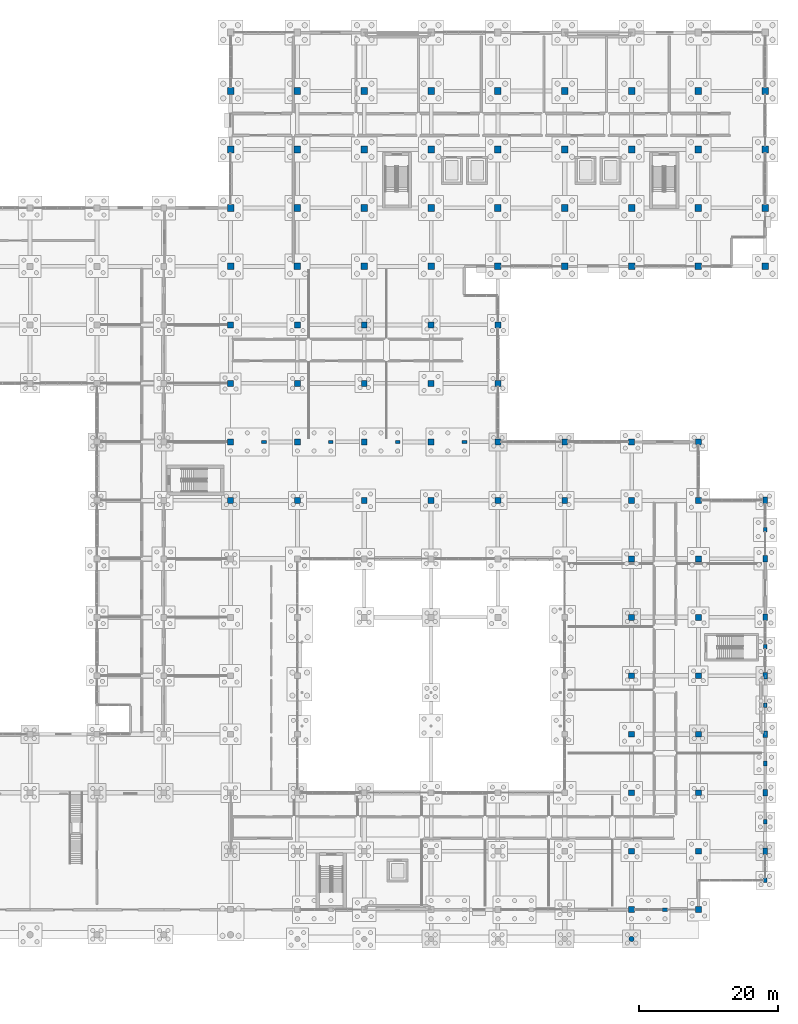
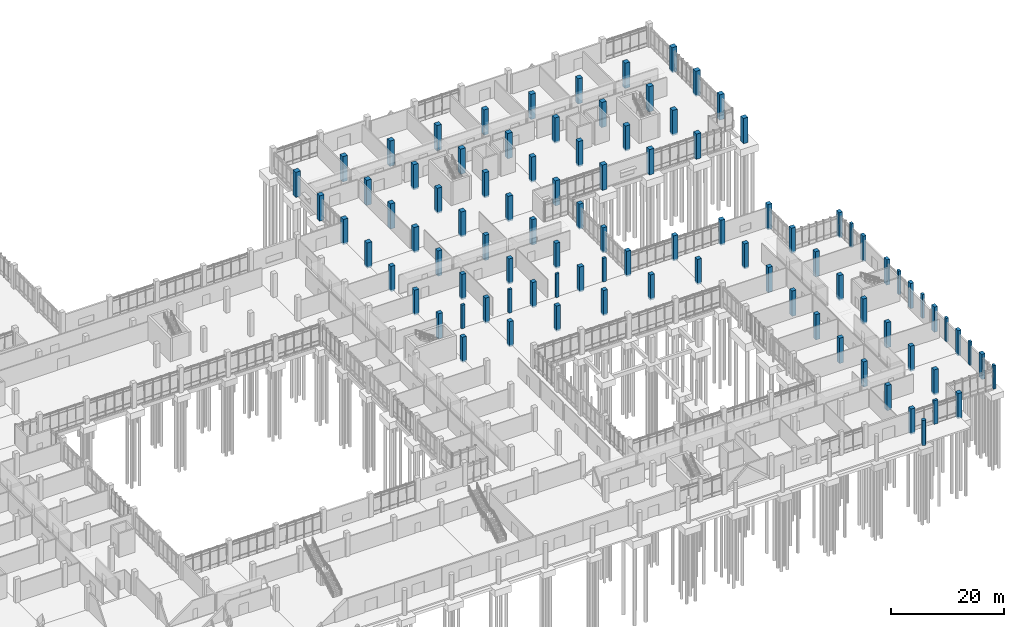
# One storey, part 25 of 136: 95 columns.
"""IFC4 building model written with IfcOpenShell, lengths in metres."""

from ifc_helpers import new_model, si_unit, direction, frame, origin, origin_2d, place, context, subcontext, project, spatial, rectangle, circle, extrude, material, material_profile, profile_set, type_object, element, save


model = new_model("IFC4")

# Units and contexts
model_context = context("Model", 3, precision=1e-05, world=origin(), true_north=direction((0.0, 1.0)))
body_context = subcontext(model_context, "Body", "Model", "MODEL_VIEW")
ifc_project = project(units=[si_unit("LENGTHUNIT", "METRE"), si_unit("AREAUNIT", "SQUARE_METRE"), si_unit("VOLUMEUNIT", "CUBIC_METRE"), si_unit("PLANEANGLEUNIT", "RADIAN"), si_unit("MASSUNIT", "GRAM", prefix="KILO")], contexts=[model_context])

# Site, building, storey
site_placement = place(None, origin())
site = spatial("IfcSite", under=ifc_project, at=site_placement, CompositionType="ELEMENT")
building_placement = place(site_placement, origin())
building = spatial("IfcBuilding", under=site, at=building_placement, Name="Oolite Switchyard Hospital", CompositionType="ELEMENT")
storey_placement = place(building_placement, origin())
storey = spatial("IfcBuildingStorey", under=building, at=storey_placement, Name="L00", CompositionType="ELEMENT", Elevation=0.0)

# Columns
ifc_material_1 = material(Name="Precast concrete C40/50", Category="concrete")
ifc_material_profile_1 = material_profile(ifc_material_1, circle(Radius=0.375, at=origin_2d()), Name="RCCOL750")
ifc_profile_set_1 = profile_set([ifc_material_profile_1], Name="Precast concrete C40/50")
column_type_1 = type_object("IfcColumnType", Name="COL-PORT750", PredefinedType="COLUMN", material=ifc_profile_set_1)
column_1_placement = place(storey_placement, frame((192.0, 4.199951171875, -0.35009765625), z_axis=(0.0, 0.0, 1.0), x_axis=(1.0, 0.0, 0.0)))
element("IfcColumn", 1, at=column_1_placement, inside=storey, type_object=column_type_1, Name="L00 Column 289", PredefinedType="COLUMN", context=body_context, shape_type="SweptSolid", body=[
    extrude(circle(Radius=0.375, at=origin_2d()), origin(), (0.0, 0.0, 1.0), 5.4501953125),
])
ifc_material_2 = material(Name="Concrete C50/60", Category="concrete")
ifc_material_profile_2 = material_profile(ifc_material_2, rectangle(XDim=0.85009765625, YDim=0.85009765625, at=origin_2d()), Name="RC850X850")
ifc_profile_set_2 = profile_set([ifc_material_profile_2], Name="Concrete C50/60")
column_type_2 = type_object("IfcColumnType", Name="COL-RC850", PredefinedType="COLUMN", material=ifc_profile_set_2)
for number, where, z_axis, x_axis, name in (
    (2, (134.39990234375, 67.199951171875, -0.35009765625), (0.0, 0.0, 1.0), (1.0, 0.0, 0.0), "L00 Column 193"),
    (3, (134.39990234375, 75.60009765625, -0.35009765625), (0.0, 0.0, 1.0), (1.0, 0.0, 0.0), "L00 Column 194"),
    (4, (134.39990234375, 84.0, -0.35009765625), (0.0, 0.0, 1.0), (1.0, 0.0, 0.0), "L00 Column 195"),
    (5, (134.39990234375, 92.39990234375, -0.35009765625), (0.0, 0.0, 1.0), (1.0, 0.0, 0.0), "L00 Column 196"),
    (6, (144.0, 67.199951171875, -0.35009765625), (0.0, 0.0, 1.0), (1.0, 0.0, 0.0), "L00 Column 210"),
    (7, (144.0, 75.60009765625, -0.35009765625), (0.0, 0.0, 1.0), (1.0, 0.0, 0.0), "L00 Column 211"),
    (8, (144.0, 84.0, -0.35009765625), (0.0, 0.0, 1.0), (1.0, 0.0, 0.0), "L00 Column 212"),
    (9, (144.0, 92.39990234375, -0.35009765625), (0.0, 0.0, 1.0), (1.0, 0.0, 0.0), "L00 Column 213"),
    (10, (153.60009765625, 67.199951171875, -0.35009765625), (0.0, 0.0, 1.0), (1.0, 0.0, 0.0), "L00 Column 229"),
    (11, (153.60009765625, 75.60009765625, -0.35009765625), (0.0, 0.0, 1.0), (1.0, 0.0, 0.0), "L00 Column 230"),
    (12, (153.60009765625, 84.0, -0.35009765625), (0.0, 0.0, 1.0), (1.0, 0.0, 0.0), "L00 Column 231"),
    (13, (153.60009765625, 92.39990234375, -0.35009765625), (0.0, 0.0, 1.0), (1.0, 0.0, 0.0), "L00 Column 232"),
    (14, (163.199951171875, 67.199951171875, -0.35009765625), (0.0, 0.0, 1.0), (1.0, 0.0, 0.0), "L00 Column 246"),
    (15, (163.199951171875, 75.60009765625, -0.35009765625), (0.0, 0.0, 1.0), (1.0, 0.0, 0.0), "L00 Column 247"),
    (16, (163.199951171875, 84.0, -0.35009765625), (0.0, 0.0, 1.0), (1.0, 0.0, 0.0), "L00 Column 248"),
    (17, (163.199951171875, 92.39990234375, -0.35009765625), (0.0, 0.0, 1.0), (1.0, 0.0, 0.0), "L00 Column 249"),
    (18, (172.800048828125, 67.199951171875, -0.35009765625), (0.0, 0.0, 1.0), (1.0, 0.0, 0.0), "L00 Column 261"),
    (19, (172.800048828125, 75.60009765625, -0.35009765625), (0.0, 0.0, 1.0), (1.0, 0.0, 0.0), "L00 Column 262"),
    (20, (172.800048828125, 84.0, -0.35009765625), (0.0, 0.0, 1.0), (1.0, 0.0, 0.0), "L00 Column 263"),
    (21, (172.800048828125, 92.39990234375, -0.35009765625), (0.0, 0.0, 1.0), (1.0, 0.0, 0.0), "L00 Column 264"),
    (22, (182.39990234375, 67.199951171875, -0.35009765625), (0.0, 0.0, 1.0), (1.0, 0.0, 0.0), "L00 Column 282"),
    (23, (182.39990234375, 75.60009765625, -0.35009765625), (0.0, 0.0, 1.0), (1.0, 0.0, 0.0), "L00 Column 283"),
    (24, (192.0, 8.39990234375, -0.35009765625), (0.0, 0.0, 1.0), (1.0, 0.0, 0.0), "L00 Column 290"),
    (25, (192.0, 16.800048828125, -0.35009765625), (0.0, 0.0, 1.0), (1.0, 0.0, 0.0), "L00 Column 291"),
    (26, (192.0, 25.199951171875, -0.35009765625), (0.0, 0.0, 1.0), (1.0, 0.0, 0.0), "L00 Column 292"),
    (27, (192.0, 33.60009765625, -0.35009765625), (0.0, 0.0, 1.0), (1.0, 0.0, 0.0), "L00 Column 293"),
    (28, (192.0, 42.0, -0.35009765625), (0.0, 0.0, 1.0), (1.0, 0.0, 0.0), "L00 Column 294"),
    (29, (192.0, 50.39990234375, -0.35009765625), (0.0, 0.0, 1.0), (1.0, 0.0, 0.0), "L00 Column 295"),
    (30, (192.0, 58.800048828125, -0.35009765625), (0.0, 0.0, 1.0), (1.0, 0.0, 0.0), "L00 Column 296"),
    (31, (192.0, 67.199951171875, -0.35009765625), (0.0, 0.0, 1.0), (1.0, 0.0, 0.0), "L00 Column 297"),
    (32, (192.0, 75.60009765625, -0.35009765625), (0.0, 0.0, 1.0), (1.0, 0.0, 0.0), "L00 Column 298"),
    (33, (201.60009765625, 8.39990234375, -0.35009765625), (0.0, 0.0, 1.0), (1.0, 0.0, 0.0), "L00 Column 304"),
    (34, (201.60009765625, 16.800048828125, -0.35009765625), (0.0, 0.0, 1.0), (1.0, 0.0, 0.0), "L00 Column 305"),
    (35, (201.60009765625, 25.199951171875, -0.35009765625), (0.0, 0.0, 1.0), (1.0, 0.0, 0.0), "L00 Column 306"),
    (36, (201.60009765625, 33.60009765625, -0.35009765625), (0.0, 0.0, 1.0), (1.0, 0.0, 0.0), "L00 Column 307"),
    (37, (201.60009765625, 42.0, -0.35009765625), (0.0, 0.0, 1.0), (1.0, 0.0, 0.0), "L00 Column 308"),
    (38, (201.60009765625, 50.39990234375, -0.35009765625), (0.0, 0.0, 1.0), (1.0, 0.0, 0.0), "L00 Column 309"),
    (39, (201.60009765625, 58.800048828125, -0.35009765625), (0.0, 0.0, 1.0), (1.0, 0.0, 0.0), "L00 Column 310"),
    (40, (201.60009765625, 67.199951171875, -0.35009765625), (0.0, 0.0, 1.0), (1.0, 0.0, 0.0), "L00 Column 311"),
    (41, (201.60009765625, 75.60009765625, -0.35009765625), (0.0, 0.0, 1.0), (1.0, 0.0, 0.0), "L00 Column 312"),
):
    element("IfcColumn", number, at=place(storey_placement, frame(where, z_axis=z_axis, x_axis=x_axis)), inside=storey, type_object=column_type_2, Name=name, PredefinedType="COLUMN", context=body_context, shape_type="SweptSolid", body=[
        extrude(rectangle(XDim=0.85009765625, YDim=0.85009765625, at=origin_2d()), origin(), (0.0, 0.0, 1.0), 5.4501953125),
    ])
ifc_material_profile_3 = material_profile(ifc_material_2, rectangle(XDim=0.949951171875, YDim=0.949951171875, at=origin_2d()), Name="RC950X950")
ifc_profile_set_3 = profile_set([ifc_material_profile_3], Name="Concrete C50/60")
column_type_3 = type_object("IfcColumnType", Name="COL-RC950", PredefinedType="COLUMN", material=ifc_profile_set_3)
for number, where, z_axis, x_axis, name in (
    (42, (134.39990234375, 100.800048828125, -0.35009765625), (0.0, 0.0, 1.0), (1.0, 0.0, 0.0), "L00 Column 197"),
    (43, (134.39990234375, 109.199951171875, -0.35009765625), (0.0, 0.0, 1.0), (1.0, 0.0, 0.0), "L00 Column 198"),
    (44, (134.39990234375, 117.60009765625, -0.35009765625), (0.0, 0.0, 1.0), (1.0, 0.0, 0.0), "L00 Column 199"),
    (45, (134.39990234375, 126.0, -0.35009765625), (0.0, 0.0, 1.0), (1.0, 0.0, 0.0), "L00 Column 200"),
    (46, (144.0, 100.800048828125, -0.35009765625), (0.0, 0.0, 1.0), (1.0, 0.0, 0.0), "L00 Column 214"),
    (47, (144.0, 109.199951171875, -0.35009765625), (0.0, 0.0, 1.0), (1.0, 0.0, 0.0), "L00 Column 215"),
    (48, (144.0, 117.60009765625, -0.35009765625), (0.0, 0.0, 1.0), (1.0, 0.0, 0.0), "L00 Column 216"),
    (49, (144.0, 126.0, -0.35009765625), (0.0, 0.0, 1.0), (1.0, 0.0, 0.0), "L00 Column 217"),
    (50, (153.60009765625, 100.800048828125, -0.35009765625), (0.0, 0.0, 1.0), (1.0, 0.0, 0.0), "L00 Column 233"),
    (51, (153.60009765625, 109.199951171875, -0.35009765625), (0.0, 0.0, 1.0), (1.0, 0.0, 0.0), "L00 Column 234"),
    (52, (153.60009765625, 117.60009765625, -0.35009765625), (0.0, 0.0, 1.0), (1.0, 0.0, 0.0), "L00 Column 235"),
    (53, (153.60009765625, 126.0, -0.35009765625), (0.0, 0.0, 1.0), (1.0, 0.0, 0.0), "L00 Column 236"),
    (54, (163.199951171875, 100.800048828125, -0.35009765625), (0.0, 0.0, 1.0), (1.0, 0.0, 0.0), "L00 Column 250"),
    (55, (163.199951171875, 109.199951171875, -0.35009765625), (0.0, 0.0, 1.0), (1.0, 0.0, 0.0), "L00 Column 251"),
    (56, (163.199951171875, 117.60009765625, -0.35009765625), (0.0, 0.0, 1.0), (1.0, 0.0, 0.0), "L00 Column 252"),
    (57, (163.199951171875, 126.0, -0.35009765625), (0.0, 0.0, 1.0), (1.0, 0.0, 0.0), "L00 Column 253"),
    (58, (172.800048828125, 100.800048828125, -0.35009765625), (0.0, 0.0, 1.0), (1.0, 0.0, 0.0), "L00 Column 265"),
    (59, (172.800048828125, 109.199951171875, -0.35009765625), (0.0, 0.0, 1.0), (1.0, 0.0, 0.0), "L00 Column 266"),
    (60, (172.800048828125, 117.60009765625, -0.35009765625), (0.0, 0.0, 1.0), (1.0, 0.0, 0.0), "L00 Column 267"),
    (61, (172.800048828125, 126.0, -0.35009765625), (0.0, 0.0, 1.0), (1.0, 0.0, 0.0), "L00 Column 268"),
    (62, (182.39990234375, 100.800048828125, -0.35009765625), (0.0, 0.0, 1.0), (1.0, 0.0, 0.0), "L00 Column 284"),
    (63, (182.39990234375, 109.199951171875, -0.35009765625), (0.0, 0.0, 1.0), (1.0, 0.0, 0.0), "L00 Column 285"),
    (64, (182.39990234375, 117.60009765625, -0.35009765625), (0.0, 0.0, 1.0), (1.0, 0.0, 0.0), "L00 Column 286"),
    (65, (182.39990234375, 126.0, -0.35009765625), (0.0, 0.0, 1.0), (1.0, 0.0, 0.0), "L00 Column 287"),
    (66, (192.0, 100.800048828125, -0.35009765625), (0.0, 0.0, 1.0), (1.0, 0.0, 0.0), "L00 Column 299"),
    (67, (192.0, 109.199951171875, -0.35009765625), (0.0, 0.0, 1.0), (1.0, 0.0, 0.0), "L00 Column 300"),
    (68, (192.0, 117.60009765625, -0.35009765625), (0.0, 0.0, 1.0), (1.0, 0.0, 0.0), "L00 Column 301"),
    (69, (192.0, 126.0, -0.35009765625), (0.0, 0.0, 1.0), (1.0, 0.0, 0.0), "L00 Column 302"),
    (70, (201.60009765625, 100.800048828125, -0.35009765625), (0.0, 0.0, 1.0), (1.0, 0.0, 0.0), "L00 Column 313"),
    (71, (201.60009765625, 109.199951171875, -0.35009765625), (0.0, 0.0, 1.0), (1.0, 0.0, 0.0), "L00 Column 314"),
    (72, (201.60009765625, 117.60009765625, -0.35009765625), (0.0, 0.0, 1.0), (1.0, 0.0, 0.0), "L00 Column 315"),
    (73, (201.60009765625, 126.0, -0.35009765625), (0.0, 0.0, 1.0), (1.0, 0.0, 0.0), "L00 Column 316"),
    (74, (211.199951171875, 100.800048828125, -0.35009765625), (0.0, 0.0, 1.0), (1.0, 0.0, 0.0), "L00 Column 325"),
    (75, (211.199951171875, 109.199951171875, -0.35009765625), (0.0, 0.0, 1.0), (1.0, 0.0, 0.0), "L00 Column 326"),
    (76, (211.199951171875, 117.60009765625, -0.35009765625), (0.0, 0.0, 1.0), (1.0, 0.0, 0.0), "L00 Column 327"),
    (77, (211.199951171875, 126.0, -0.35009765625), (0.0, 0.0, 1.0), (1.0, 0.0, 0.0), "L00 Column 328"),
):
    element("IfcColumn", number, at=place(storey_placement, frame(where, z_axis=z_axis, x_axis=x_axis)), inside=storey, type_object=column_type_3, Name=name, PredefinedType="COLUMN", context=body_context, shape_type="SweptSolid", body=[
        extrude(rectangle(XDim=0.949951171875, YDim=0.949951171875, at=origin_2d()), origin(), (0.0, 0.0, 1.0), 5.4501953125),
    ])
ifc_material_profile_4 = material_profile(ifc_material_2, rectangle(XDim=0.949951171875, YDim=0.64990234375, at=origin_2d()), Name="RC950X650")
ifc_profile_set_4 = profile_set([ifc_material_profile_4], Name="Concrete C50/60")
column_type_4 = type_object("IfcColumnType", Name="COL-RCR950", PredefinedType="COLUMN", material=ifc_profile_set_4)
for number, where, z_axis, x_axis, name in (
    (78, (211.199951171875, 16.800048828125, -0.35009765625), (0.0, 0.0, 1.0), (0.0, 1.0, 0.0), "L00 Column 318"),
    (79, (211.199951171875, 25.199951171875, -0.35009765625), (0.0, 0.0, 1.0), (0.0, 1.0, 0.0), "L00 Column 319"),
    (80, (211.199951171875, 33.60009765625, -0.35009765625), (0.0, 0.0, 1.0), (0.0, 1.0, 0.0), "L00 Column 320"),
    (81, (211.199951171875, 42.0, -0.35009765625), (0.0, 0.0, 1.0), (0.0, 1.0, 0.0), "L00 Column 321"),
    (82, (211.199951171875, 50.39990234375, -0.35009765625), (0.0, 0.0, 1.0), (0.0, 1.0, 0.0), "L00 Column 322"),
    (83, (211.199951171875, 58.800048828125, -0.35009765625), (0.0, 0.0, 1.0), (0.0, 1.0, 0.0), "L00 Column 323"),
    (84, (211.199951171875, 67.199951171875, -0.35009765625), (0.0, 0.0, 1.0), (0.0, 1.0, 0.0), "L00 Column 324"),
):
    element("IfcColumn", number, at=place(storey_placement, frame(where, z_axis=z_axis, x_axis=x_axis)), inside=storey, type_object=column_type_4, Name=name, PredefinedType="COLUMN", context=body_context, shape_type="SweptSolid", body=[
        extrude(rectangle(XDim=0.949951171875, YDim=0.64990234375, at=origin_2d()), origin(), (0.0, 0.0, 1.0), 5.4501953125),
    ])
ifc_material_profile_5 = material_profile(ifc_material_1, rectangle(XDim=0.449951171875, YDim=0.64990234375, at=origin_2d()), Name="PIL450X650")
ifc_profile_set_5 = profile_set([ifc_material_profile_5], Name="Precast concrete C40/50")
column_type_5 = type_object("IfcColumnType", Name="PIL-450X650", PredefinedType="PILASTER", material=ifc_profile_set_5)
for number, where, z_axis, x_axis, name in (
    (85, (211.199951171875, 12.60009765625, 0.0), (0.0, 0.0, 1.0), (1.0, 0.0, 0.0), "L00 Classical Pilaster 5"),
    (86, (211.199951171875, 21.0, 0.0), (0.0, 0.0, 1.0), (1.0, 0.0, 0.0), "L00 Classical Pilaster 6"),
    (87, (211.199951171875, 29.39990234375, 0.0), (0.0, 0.0, 1.0), (1.0, 0.0, 0.0), "L00 Classical Pilaster 7"),
    (88, (211.199951171875, 37.800048828125, 0.0), (0.0, 0.0, 1.0), (1.0, 0.0, 0.0), "L00 Classical Pilaster 8"),
    (89, (211.199951171875, 46.199951171875, 0.0), (0.0, 0.0, 1.0), (1.0, 0.0, 0.0), "L00 Classical Pilaster 9"),
    (90, (211.199951171875, 63.0, 0.0), (0.0, 0.0, 1.0), (1.0, 0.0, 0.0), "L00 Classical Pilaster 10"),
):
    element("IfcColumn", number, at=place(storey_placement, frame(where, z_axis=z_axis, x_axis=x_axis)), inside=storey, type_object=column_type_5, Name=name, PredefinedType="PILASTER", context=body_context, shape_type="SweptSolid", body=[
        extrude(rectangle(XDim=0.449951171875, YDim=0.64990234375, at=origin_2d()), origin(), (0.0, 0.0, 1.0), 5.10009765625),
    ])
ifc_material_profile_6 = material_profile(ifc_material_1, rectangle(XDim=0.64990234375, YDim=0.449951171875, at=origin_2d()), Name="PIL650X450")
ifc_profile_set_6 = profile_set([ifc_material_profile_6], Name="Precast concrete C40/50")
column_type_6 = type_object("IfcColumnType", Name="PIL-650X450", PredefinedType="PILASTER", material=ifc_profile_set_6)
for number, where, z_axis, x_axis, name in (
    (91, (139.199951171875, 75.60009765625, 0.0), (0.0, 0.0, 1.0), (1.0, 0.0, 0.0), "L00 Classical Pilaster 14"),
    (92, (148.800048828125, 75.60009765625, 0.0), (0.0, 0.0, 1.0), (1.0, 0.0, 0.0), "L00 Classical Pilaster 15"),
    (93, (158.39990234375, 75.60009765625, 0.0), (0.0, 0.0, 1.0), (1.0, 0.0, 0.0), "L00 Classical Pilaster 16"),
    (94, (168.0, 75.60009765625, 0.0), (0.0, 0.0, 1.0), (1.0, 0.0, 0.0), "L00 Classical Pilaster 17"),
):
    element("IfcColumn", number, at=place(storey_placement, frame(where, z_axis=z_axis, x_axis=x_axis)), inside=storey, type_object=column_type_6, Name=name, PredefinedType="PILASTER", context=body_context, shape_type="SweptSolid", body=[
        extrude(rectangle(XDim=0.64990234375, YDim=0.449951171875, at=origin_2d()), origin(), (0.0, 0.0, 1.0), 5.10009765625),
    ])
ifc_material_profile_7 = material_profile(ifc_material_1, rectangle(XDim=0.75, YDim=0.5, at=origin_2d()), Name="PIL750X500")
ifc_profile_set_7 = profile_set([ifc_material_profile_7], Name="Precast concrete C40/50")
column_type_7 = type_object("IfcColumnType", Name="PIL-750X500", PredefinedType="PILASTER", material=ifc_profile_set_7)
column_2_placement = place(storey_placement, frame((196.800048828125, 8.39990234375, 0.0), z_axis=(0.0, 0.0, 1.0), x_axis=(1.0, 0.0, 0.0)))
element("IfcColumn", 95, at=column_2_placement, inside=storey, type_object=column_type_7, Name="L00 Classical Pilaster 4", PredefinedType="PILASTER", context=body_context, shape_type="SweptSolid", body=[
    extrude(rectangle(XDim=0.75, YDim=0.5, at=origin_2d()), origin(), (0.0, 0.0, 1.0), 5.10009765625),
])

save(model, "model.ifc")
